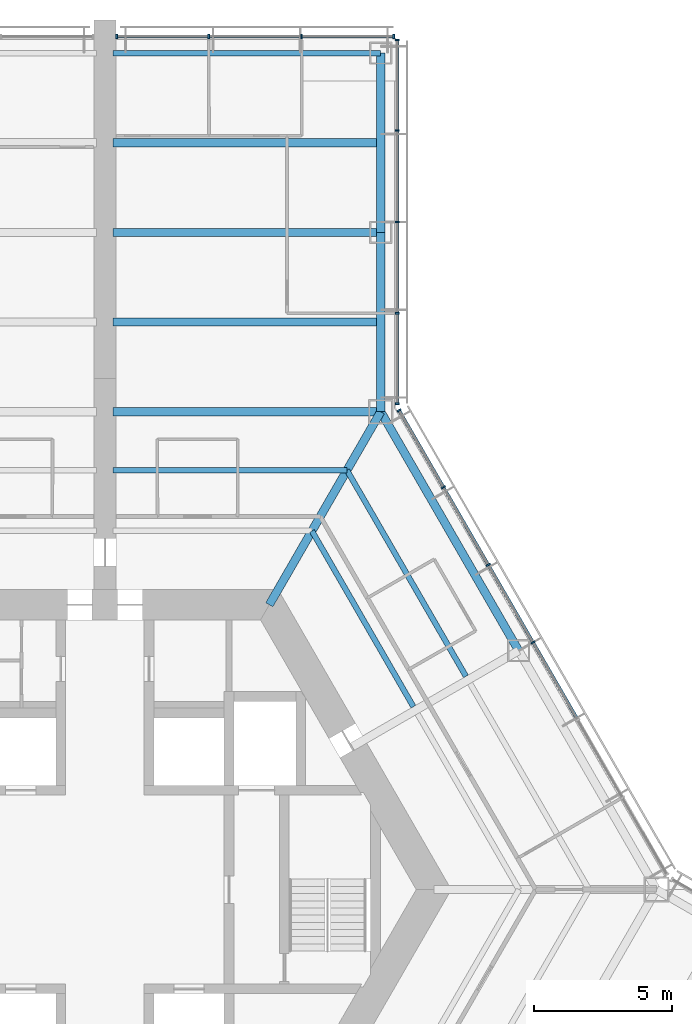
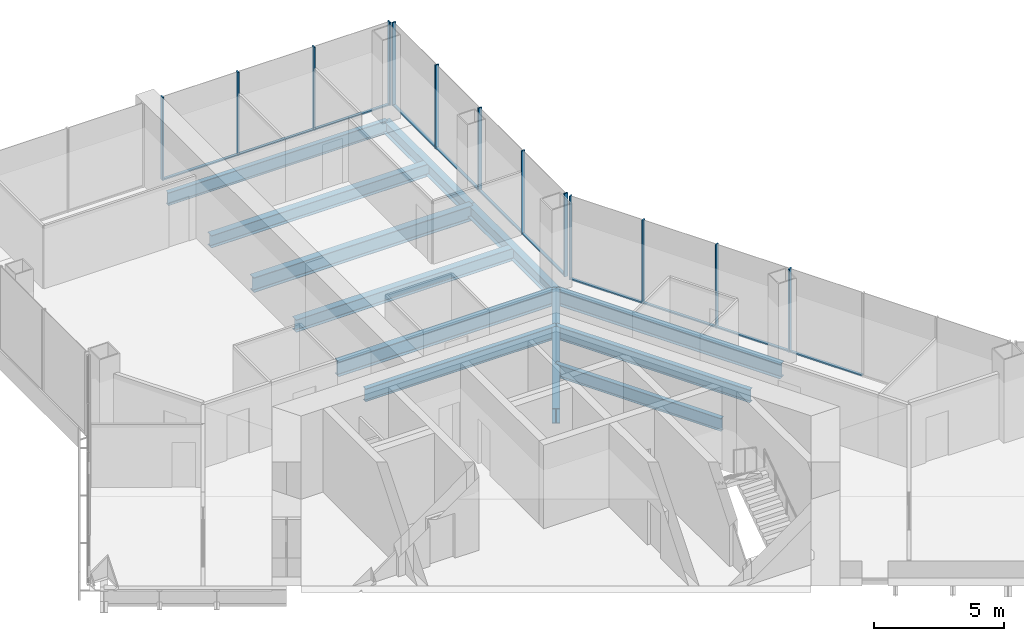
# One storey, part 8 of 18: 24 members, 12 beams, 3 elements without a shape of their own.
"""IFC4 building model written with IfcOpenShell, lengths in metres."""

from ifc_helpers import new_model, si_unit, direction, frame, origin, origin_2d, place, context, subcontext, project, spatial, rectangle, i_section, extrude, material, material_profile, profile_set, type_object, element, aggregate, save


model = new_model("IFC4")

# Units and contexts
model_context = context("Model", 3, precision=1e-05, world=origin(), true_north=direction((0.0, 1.0)))
body_context = subcontext(model_context, "Body", "Model", "MODEL_VIEW")
ifc_project = project(units=[si_unit("LENGTHUNIT", "METRE"), si_unit("AREAUNIT", "SQUARE_METRE"), si_unit("VOLUMEUNIT", "CUBIC_METRE"), si_unit("PLANEANGLEUNIT", "RADIAN"), si_unit("MASSUNIT", "GRAM", prefix="KILO")], contexts=[model_context])

# Site, building, storey
site_placement = place(None, origin())
site = spatial("IfcSite", under=ifc_project, at=site_placement, CompositionType="ELEMENT")
building_placement = place(site_placement, origin())
building = spatial("IfcBuilding", under=site, at=building_placement, Name="Kasaneha Research Tower", CompositionType="ELEMENT")
storey_placement = place(building_placement, frame((0.0, 0.0, 76.800048828125)))
storey = spatial("IfcBuildingStorey", under=building, at=storey_placement, Name="L19", CompositionType="ELEMENT", Elevation=76.800048828125)

# Beams
ifc_material_1 = material(Name="Steel SN490B", Category="steel")
ifc_material_profile_1 = material_profile(ifc_material_1, i_section(OverallWidth=0.199951171875, OverallDepth=0.60009765625, WebThickness=0.010986328125, FlangeThickness=0.01708984375, FilletRadius=0.012939453125, at=origin_2d()), Name="H-600x200x11x17")
ifc_profile_set_1 = profile_set([ifc_material_profile_1], Name="Steel SN490B")
beam_type_1 = type_object("IfcBeamType", Name="B1-3 secondary beam H-600x200x11x17", PredefinedType="JOIST", material=ifc_profile_set_1)
beam_1_placement = place(storey_placement, frame((7.505615234375, 13.0, -0.449951171875), z_axis=(0.499994443168, -0.866028611999, 0.0), x_axis=(0.866028611999, 0.499994443168, 0.0)))
element("IfcBeam", 1, at=beam_1_placement, inside=storey, type_object=beam_type_1, Name="Secondary beam RS030R1 L19", PredefinedType="JOIST", context=body_context, shape_type="SweptSolid", body=[
    extrude(i_section(OverallWidth=0.199951171875, OverallDepth=0.60009765625, WebThickness=0.010986328125, FlangeThickness=0.01708984375, FilletRadius=0.012939453125, at=origin_2d()), origin(), (0.0, 0.0, 1.0), 7.35546875),
])
beam_2_placement = place(storey_placement, frame((8.775634765625, 15.199951171875, -0.449951171875), z_axis=(0.500017275495, -0.866015429543, 0.0), x_axis=(0.866015429543, 0.500017275495, 0.0)))
element("IfcBeam", 2, at=beam_2_placement, inside=storey, type_object=beam_type_1, Name="Secondary beam RS030R2 L19", PredefinedType="JOIST", context=body_context, shape_type="SweptSolid", body=[
    extrude(i_section(OverallWidth=0.199951171875, OverallDepth=0.60009765625, WebThickness=0.010986328125, FlangeThickness=0.01708984375, FilletRadius=0.012939453125, at=origin_2d()), origin(), (0.0, 0.0, 1.0), 8.625732421875),
])
beam_3_placement = place(storey_placement, frame((8.775634765625, 15.199951171875, -0.449951171875), z_axis=(-1.0, 0.0, 0.0), x_axis=(0.0, -1.0, 0.0)))
element("IfcBeam", 3, at=beam_3_placement, inside=storey, type_object=beam_type_1, Name="Secondary beam RS090L2 L19", PredefinedType="JOIST", context=body_context, shape_type="SweptSolid", body=[
    extrude(i_section(OverallWidth=0.199951171875, OverallDepth=0.60009765625, WebThickness=0.010986328125, FlangeThickness=0.01708984375, FilletRadius=0.012939453125, at=origin_2d()), origin(), (0.0, 0.0, 1.0), 8.4755859375),
])
ifc_material_2 = material(Name="Steel SN490B", Category="steel")
ifc_material_profile_2 = material_profile(ifc_material_2, i_section(OverallWidth=0.300048828125, OverallDepth=0.58203125, WebThickness=0.011962890625, FlangeThickness=0.01708984375, FilletRadius=0.012939453125, at=origin_2d()), Name="H-582x300x12x17")
ifc_profile_set_2 = profile_set([ifc_material_profile_2], Name="Steel SN490B")
beam_type_2 = type_object("IfcBeamType", Name="B2-3 secondary beam H-582x300x12x17", PredefinedType="JOIST", material=ifc_profile_set_2)
for number, where, z_axis, x_axis, name in (
    (4, (10.0, 20.570556640625, -0.441162109375), (-1.0, 0.0, 0.0), (0.0, -1.0, 0.0), "Secondary beam WBAP1 L19"),
    (5, (10.0, 27.070556640625, -0.441162109375), (-1.0, 0.0, 0.0), (0.0, -1.0, 0.0), "Secondary beam WBAP2 L19"),
):
    element("IfcBeam", number, at=place(storey_placement, frame(where, z_axis=z_axis, x_axis=x_axis)), inside=storey, type_object=beam_type_2, Name=name, PredefinedType="JOIST", context=body_context, shape_type="SweptSolid", body=[
        extrude(i_section(OverallWidth=0.300048828125, OverallDepth=0.58203125, WebThickness=0.011962890625, FlangeThickness=0.01708984375, FilletRadius=0.012939453125, at=origin_2d()), origin(), (0.0, 0.0, 1.0), 9.699951171875),
    ])

# Curtain wall, members
ifc_material_3 = material(Name="Glass and aluminium", Category="aluminium")
curtain_wall_type = type_object("IfcCurtainWallType", Name="Low-rise office curtain wall", PredefinedType="USERDEFINED", material=ifc_material_3)
curtain_wall_1_placement = place(storey_placement, origin())
curtain_wall_1 = element("IfcCurtainWall", 6, at=curtain_wall_1_placement, inside=storey, type_object=curtain_wall_type, Name="CW-O1 L19 run 07a", ObjectType="UNITISED CURTAIN WALL", PredefinedType="USERDEFINED")
ifc_material_4 = material(Name="Aluminium 6063-T6", Category="aluminium")
ifc_material_profile_3 = material_profile(ifc_material_4, rectangle(XDim=0.06005859375, YDim=0.159912109375, at=origin_2d()), Name="CW-O1 mullion 60x160")
ifc_profile_set_3 = profile_set([ifc_material_profile_3], Name="Aluminium 6063-T6")
member_type_1 = type_object("IfcMemberType", Name="CW-O1 mullion", PredefinedType="MULLION", material=ifc_profile_set_3)
member_1_placement = place(storey_placement, frame((15.51953125, 8.960205078125, 0.0), z_axis=(0.0, 0.0, 1.0), x_axis=(-0.49999996188, 0.866025425793, 0.0)))
member_1 = element("IfcMember", 7, at=member_1_placement, type_object=member_type_1, Name="CW-O1 mullion 4", PredefinedType="MULLION", context=body_context, shape_type="SweptSolid", body=[
    extrude(rectangle(XDim=0.06005859375, YDim=0.159912109375, at=origin_2d()), origin(), (0.0, 0.0, 1.0), 3.89990234375),
])
member_2_placement = place(storey_placement, frame((13.896484375, 11.771728515625, 0.0), z_axis=(0.0, 0.0, 1.0), x_axis=(-0.49999996188, 0.866025425793, 0.0)))
member_2 = element("IfcMember", 8, at=member_2_placement, type_object=member_type_1, Name="CW-O1 mullion 5", PredefinedType="MULLION", context=body_context, shape_type="SweptSolid", body=[
    extrude(rectangle(XDim=0.06005859375, YDim=0.159912109375, at=origin_2d()), origin(), (0.0, 0.0, 1.0), 3.89990234375),
])
member_3_placement = place(storey_placement, frame((12.273193359375, 14.583251953125, 0.0), z_axis=(0.0, 0.0, 1.0), x_axis=(-0.49999996188, 0.866025425793, 0.0)))
member_3 = element("IfcMember", 9, at=member_3_placement, type_object=member_type_1, Name="CW-O1 mullion 6", PredefinedType="MULLION", context=body_context, shape_type="SweptSolid", body=[
    extrude(rectangle(XDim=0.06005859375, YDim=0.159912109375, at=origin_2d()), origin(), (0.0, 0.0, 1.0), 3.89990234375),
])
member_4_placement = place(storey_placement, frame((10.6650390625, 17.36865234375, 0.0), z_axis=(0.0, 0.0, 1.0), x_axis=(-0.49999996188, 0.866025425793, 0.0)))
member_4 = element("IfcMember", 10, at=member_4_placement, type_object=member_type_1, Name="CW-O1 mullion 7", PredefinedType="MULLION", context=body_context, shape_type="SweptSolid", body=[
    extrude(rectangle(XDim=0.06005859375, YDim=0.159912109375, at=origin_2d()), origin(), (0.0, 0.0, 1.0), 3.89990234375),
])

curtain_wall_2_placement = place(storey_placement, origin())
curtain_wall_2 = element("IfcCurtainWall", 11, at=curtain_wall_2_placement, inside=storey, type_object=curtain_wall_type, Name="CW-O1 L19 run 08a", ObjectType="UNITISED CURTAIN WALL", PredefinedType="USERDEFINED")
member_5_placement = place(storey_placement, frame((10.60009765625, 17.611328125, 0.0), z_axis=(0.0, 0.0, 1.0), x_axis=(0.0, 1.0, 0.0)))
member_5 = element("IfcMember", 12, at=member_5_placement, type_object=member_type_1, Name="CW-O1 mullion 1", PredefinedType="MULLION", context=body_context, shape_type="SweptSolid", body=[
    extrude(rectangle(XDim=0.06005859375, YDim=0.159912109375, at=origin_2d()), origin(), (0.0, 0.0, 1.0), 3.89990234375),
])
member_6_placement = place(storey_placement, frame((10.60009765625, 20.89111328125, 0.0), z_axis=(0.0, 0.0, 1.0), x_axis=(0.0, 1.0, 0.0)))
member_6 = element("IfcMember", 13, at=member_6_placement, type_object=member_type_1, Name="CW-O1 mullion 2", PredefinedType="MULLION", context=body_context, shape_type="SweptSolid", body=[
    extrude(rectangle(XDim=0.06005859375, YDim=0.159912109375, at=origin_2d()), origin(), (0.0, 0.0, 1.0), 3.89990234375),
])
member_7_placement = place(storey_placement, frame((10.60009765625, 24.200927734375, 0.0), z_axis=(0.0, 0.0, 1.0), x_axis=(0.0, 1.0, 0.0)))
member_7 = element("IfcMember", 14, at=member_7_placement, type_object=member_type_1, Name="CW-O1 mullion 3", PredefinedType="MULLION", context=body_context, shape_type="SweptSolid", body=[
    extrude(rectangle(XDim=0.06005859375, YDim=0.159912109375, at=origin_2d()), origin(), (0.0, 0.0, 1.0), 3.89990234375),
])
member_8_placement = place(storey_placement, frame((10.60009765625, 27.5107421875, 0.0), z_axis=(0.0, 0.0, 1.0), x_axis=(0.0, 1.0, 0.0)))
member_8 = element("IfcMember", 15, at=member_8_placement, type_object=member_type_1, Name="CW-O1 mullion 4", PredefinedType="MULLION", context=body_context, shape_type="SweptSolid", body=[
    extrude(rectangle(XDim=0.06005859375, YDim=0.159912109375, at=origin_2d()), origin(), (0.0, 0.0, 1.0), 3.89990234375),
])
member_9_placement = place(storey_placement, frame((10.60009765625, 30.79052734375, 0.0), z_axis=(0.0, 0.0, 1.0), x_axis=(0.0, 1.0, 0.0)))
member_9 = element("IfcMember", 16, at=member_9_placement, type_object=member_type_1, Name="CW-O1 mullion 5", PredefinedType="MULLION", context=body_context, shape_type="SweptSolid", body=[
    extrude(rectangle(XDim=0.06005859375, YDim=0.159912109375, at=origin_2d()), origin(), (0.0, 0.0, 1.0), 3.89990234375),
])

curtain_wall_3_placement = place(storey_placement, origin())
curtain_wall_3 = element("IfcCurtainWall", 17, at=curtain_wall_3_placement, inside=storey, type_object=curtain_wall_type, Name="CW-O1 L19 run 09a", ObjectType="UNITISED CURTAIN WALL", PredefinedType="USERDEFINED")
member_10_placement = place(storey_placement, frame((10.469970703125, 30.92041015625, 0.0), z_axis=(0.0, 0.0, 1.0), x_axis=(-1.0, 0.0, 0.0)))
member_10 = element("IfcMember", 18, at=member_10_placement, type_object=member_type_1, Name="CW-O1 mullion 1", PredefinedType="MULLION", context=body_context, shape_type="SweptSolid", body=[
    extrude(rectangle(XDim=0.06005859375, YDim=0.159912109375, at=origin_2d()), origin(), (0.0, 0.0, 1.0), 3.89990234375),
])
member_11_placement = place(storey_placement, frame((7.13330078125, 30.92041015625, 0.0), z_axis=(0.0, 0.0, 1.0), x_axis=(-1.0, 0.0, 0.0)))
member_11 = element("IfcMember", 19, at=member_11_placement, type_object=member_type_1, Name="CW-O1 mullion 2", PredefinedType="MULLION", context=body_context, shape_type="SweptSolid", body=[
    extrude(rectangle(XDim=0.06005859375, YDim=0.159912109375, at=origin_2d()), origin(), (0.0, 0.0, 1.0), 3.89990234375),
])
member_12_placement = place(storey_placement, frame((3.7666015625, 30.92041015625, 0.0), z_axis=(0.0, 0.0, 1.0), x_axis=(-1.0, 0.0, 0.0)))
member_12 = element("IfcMember", 20, at=member_12_placement, type_object=member_type_1, Name="CW-O1 mullion 3", PredefinedType="MULLION", context=body_context, shape_type="SweptSolid", body=[
    extrude(rectangle(XDim=0.06005859375, YDim=0.159912109375, at=origin_2d()), origin(), (0.0, 0.0, 1.0), 3.89990234375),
])
member_13_placement = place(storey_placement, frame((0.429931640625, 30.92041015625, 0.0), z_axis=(0.0, 0.0, 1.0), x_axis=(-1.0, 0.0, 0.0)))
member_13 = element("IfcMember", 21, at=member_13_placement, type_object=member_type_1, Name="CW-O1 mullion 4", PredefinedType="MULLION", context=body_context, shape_type="SweptSolid", body=[
    extrude(rectangle(XDim=0.06005859375, YDim=0.159912109375, at=origin_2d()), origin(), (0.0, 0.0, 1.0), 3.89990234375),
])

# Member
ifc_material_5 = material(Name="Aluminium 6063-T6", Category="aluminium")
ifc_material_profile_4 = material_profile(ifc_material_5, rectangle(XDim=0.1201171875, YDim=0.06005859375, at=origin_2d()), Name="CW-O1 transom 120x60")
ifc_profile_set_4 = profile_set([ifc_material_profile_4], Name="Aluminium 6063-T6")
member_type_2 = type_object("IfcMemberType", Name="CW-O1 transom", PredefinedType="USERDEFINED", material=ifc_profile_set_4)
member_14_placement = place(storey_placement, frame((17.1279296875, 6.1748046875, 0.030029296875), z_axis=(-0.500012062035, 0.866018439653, 0.0), x_axis=(-0.866018439653, -0.500012062035, 0.0)))
member_14 = element("IfcMember", 22, at=member_14_placement, type_object=member_type_2, Name="CW-O1 transom 3", ObjectType="TRANSOM", PredefinedType="USERDEFINED", context=body_context, shape_type="SweptSolid", body=[
    extrude(rectangle(XDim=0.1201171875, YDim=0.06005859375, at=origin_2d()), origin(), (0.0, 0.0, 1.0), 3.1865234375),
])

member_15_placement = place(storey_placement, frame((15.504638671875, 8.986328125, 0.030029296875), z_axis=(-0.500012062035, 0.866018439653, 0.0), x_axis=(-0.866018439653, -0.500012062035, 0.0)))
member_15 = element("IfcMember", 23, at=member_15_placement, type_object=member_type_2, Name="CW-O1 transom 4", ObjectType="TRANSOM", PredefinedType="USERDEFINED", context=body_context, shape_type="SweptSolid", body=[
    extrude(rectangle(XDim=0.1201171875, YDim=0.06005859375, at=origin_2d()), origin(), (0.0, 0.0, 1.0), 3.1865234375),
])

member_16_placement = place(storey_placement, frame((13.88134765625, 11.797607421875, 0.030029296875), z_axis=(-0.500012062035, 0.866018439653, 0.0), x_axis=(-0.866018439653, -0.500012062035, 0.0)))
member_16 = element("IfcMember", 24, at=member_16_placement, type_object=member_type_2, Name="CW-O1 transom 5", ObjectType="TRANSOM", PredefinedType="USERDEFINED", context=body_context, shape_type="SweptSolid", body=[
    extrude(rectangle(XDim=0.1201171875, YDim=0.06005859375, at=origin_2d()), origin(), (0.0, 0.0, 1.0), 3.1865234375),
])

member_17_placement = place(storey_placement, frame((12.25830078125, 14.609130859375, 0.030029296875), z_axis=(-0.500023726918, 0.866011704609, 0.0), x_axis=(-0.866011704609, -0.500023726918, 0.0)))
member_17 = element("IfcMember", 25, at=member_17_placement, type_object=member_type_2, Name="CW-O1 transom 6", ObjectType="TRANSOM", PredefinedType="USERDEFINED", context=body_context, shape_type="SweptSolid", body=[
    extrude(rectangle(XDim=0.1201171875, YDim=0.06005859375, at=origin_2d()), origin(), (0.0, 0.0, 1.0), 3.156494140625),
])

aggregate(curtain_wall_1, [member_1, member_2, member_3, member_4, member_14, member_15, member_16, member_17])

member_18_placement = place(storey_placement, frame((10.60009765625, 17.641357421875, 0.030029296875), z_axis=(0.0, 1.0, 0.0), x_axis=(-1.0, 0.0, 0.0)))
member_18 = element("IfcMember", 26, at=member_18_placement, type_object=member_type_2, Name="CW-O1 transom 1", ObjectType="TRANSOM", PredefinedType="USERDEFINED", context=body_context, shape_type="SweptSolid", body=[
    extrude(rectangle(XDim=0.1201171875, YDim=0.06005859375, at=origin_2d()), origin(), (0.0, 0.0, 1.0), 3.2197265625),
])

member_19_placement = place(storey_placement, frame((10.60009765625, 20.921142578125, 0.030029296875), z_axis=(0.0, 1.0, 0.0), x_axis=(-1.0, 0.0, 0.0)))
member_19 = element("IfcMember", 27, at=member_19_placement, type_object=member_type_2, Name="CW-O1 transom 2", ObjectType="TRANSOM", PredefinedType="USERDEFINED", context=body_context, shape_type="SweptSolid", body=[
    extrude(rectangle(XDim=0.1201171875, YDim=0.06005859375, at=origin_2d()), origin(), (0.0, 0.0, 1.0), 3.249755859375),
])

member_20_placement = place(storey_placement, frame((10.60009765625, 24.23095703125, 0.030029296875), z_axis=(0.0, 1.0, 0.0), x_axis=(-1.0, 0.0, 0.0)))
member_20 = element("IfcMember", 28, at=member_20_placement, type_object=member_type_2, Name="CW-O1 transom 3", ObjectType="TRANSOM", PredefinedType="USERDEFINED", context=body_context, shape_type="SweptSolid", body=[
    extrude(rectangle(XDim=0.1201171875, YDim=0.06005859375, at=origin_2d()), origin(), (0.0, 0.0, 1.0), 3.249755859375),
])

member_21_placement = place(storey_placement, frame((10.60009765625, 27.540771484375, 0.030029296875), z_axis=(0.0, 1.0, 0.0), x_axis=(-1.0, 0.0, 0.0)))
member_21 = element("IfcMember", 29, at=member_21_placement, type_object=member_type_2, Name="CW-O1 transom 4", ObjectType="TRANSOM", PredefinedType="USERDEFINED", context=body_context, shape_type="SweptSolid", body=[
    extrude(rectangle(XDim=0.1201171875, YDim=0.06005859375, at=origin_2d()), origin(), (0.0, 0.0, 1.0), 3.2197265625),
])

aggregate(curtain_wall_2, [member_5, member_6, member_7, member_8, member_9, member_18, member_19, member_20, member_21])

member_22_placement = place(storey_placement, frame((10.43994140625, 30.92041015625, 0.030029296875), z_axis=(-1.0, 0.0, 0.0), x_axis=(0.0, -1.0, 0.0)))
member_22 = element("IfcMember", 30, at=member_22_placement, type_object=member_type_2, Name="CW-O1 transom 1", ObjectType="TRANSOM", PredefinedType="USERDEFINED", context=body_context, shape_type="SweptSolid", body=[
    extrude(rectangle(XDim=0.1201171875, YDim=0.06005859375, at=origin_2d()), origin(), (0.0, 0.0, 1.0), 3.276611328125),
])

member_23_placement = place(storey_placement, frame((7.103271484375, 30.92041015625, 0.030029296875), z_axis=(-1.0, 0.0, 0.0), x_axis=(0.0, -1.0, 0.0)))
member_23 = element("IfcMember", 31, at=member_23_placement, type_object=member_type_2, Name="CW-O1 transom 2", ObjectType="TRANSOM", PredefinedType="USERDEFINED", context=body_context, shape_type="SweptSolid", body=[
    extrude(rectangle(XDim=0.1201171875, YDim=0.06005859375, at=origin_2d()), origin(), (0.0, 0.0, 1.0), 3.306640625),
])

member_24_placement = place(storey_placement, frame((3.736572265625, 30.92041015625, 0.030029296875), z_axis=(-1.0, 0.0, 0.0), x_axis=(0.0, -1.0, 0.0)))
member_24 = element("IfcMember", 32, at=member_24_placement, type_object=member_type_2, Name="CW-O1 transom 3", ObjectType="TRANSOM", PredefinedType="USERDEFINED", context=body_context, shape_type="SweptSolid", body=[
    extrude(rectangle(XDim=0.1201171875, YDim=0.06005859375, at=origin_2d()), origin(), (0.0, 0.0, 1.0), 3.276611328125),
])

aggregate(curtain_wall_3, [member_10, member_11, member_12, member_13, member_22, member_23, member_24])

# Beams
ifc_material_6 = material(Name="Steel SN490B", Category="steel")
ifc_material_profile_5 = material_profile(ifc_material_6, i_section(OverallWidth=0.300048828125, OverallDepth=0.699951171875, WebThickness=0.012939453125, FlangeThickness=0.02392578125, FilletRadius=0.01806640625, at=origin_2d()), Name="H-700x300x13x24")
ifc_profile_set_5 = profile_set([ifc_material_profile_5], Name="Steel SN490B")
beam_type_3 = type_object("IfcBeamType", Name="G1-3 radial girder H-700x300x13x24", PredefinedType="BEAM", material=ifc_profile_set_5)
beam_4_placement = place(storey_placement, frame((5.961181640625, 10.324951171875, -0.5), z_axis=(0.49999105496, 0.866030568144, 0.0), x_axis=(-0.866030568144, 0.49999105496, 0.0)))
element("IfcBeam", 33, at=beam_4_placement, inside=storey, type_object=beam_type_3, Name="Radial girder RV060 L19", PredefinedType="BEAM", context=body_context, shape_type="SweptSolid", body=[
    extrude(i_section(OverallWidth=0.300048828125, OverallDepth=0.699951171875, WebThickness=0.012939453125, FlangeThickness=0.02392578125, FilletRadius=0.01806640625, at=origin_2d()), origin(), (0.0, 0.0, 1.0), 8.077880859375),
])
ifc_material_7 = material(Name="Steel SN490B", Category="steel")
ifc_material_profile_6 = material_profile(ifc_material_7, i_section(OverallWidth=0.300048828125, OverallDepth=0.69189453125, WebThickness=0.012939453125, FlangeThickness=0.02001953125, FilletRadius=0.01806640625, at=origin_2d()), Name="H-692x300x13x20")
ifc_profile_set_6 = profile_set([ifc_material_profile_6], Name="Steel SN490B")
beam_type_4 = type_object("IfcBeamType", Name="G3-3 plate edge girder H-692x300x13x20", PredefinedType="BEAM", material=ifc_profile_set_6)
beam_5_placement = place(storey_placement, frame((10.0, 17.320556640625, -0.49609375), z_axis=(-1.0, 0.0, 0.0), x_axis=(0.0, -1.0, 0.0)))
element("IfcBeam", 34, at=beam_5_placement, inside=storey, type_object=beam_type_4, Name="Plate edge girder PEAP L19", PredefinedType="BEAM", context=body_context, shape_type="SweptSolid", body=[
    extrude(i_section(OverallWidth=0.300048828125, OverallDepth=0.69189453125, WebThickness=0.012939453125, FlangeThickness=0.02001953125, FilletRadius=0.01806640625, at=origin_2d()), origin(), (0.0, 0.0, 1.0), 9.699951171875),
])
ifc_material_8 = material(Name="Steel SN490B", Category="steel")
ifc_material_profile_7 = material_profile(ifc_material_8, i_section(OverallWidth=0.300048828125, OverallDepth=0.699951171875, WebThickness=0.012939453125, FlangeThickness=0.02392578125, FilletRadius=0.01806640625, at=origin_2d()), Name="H-700x300x13x24")
ifc_profile_set_7 = profile_set([ifc_material_profile_7], Name="Steel SN490B")
beam_type_5 = type_object("IfcBeamType", Name="G4-3 wing girder H-700x300x13x24", PredefinedType="BEAM", material=ifc_profile_set_7)
beam_6_placement = place(storey_placement, frame((10.0, 23.820556640625, -0.5), z_axis=(-1.0, 0.0, 0.0), x_axis=(0.0, -1.0, 0.0)))
element("IfcBeam", 35, at=beam_6_placement, inside=storey, type_object=beam_type_5, Name="Wing girder WGAP L19", PredefinedType="BEAM", context=body_context, shape_type="SweptSolid", body=[
    extrude(i_section(OverallWidth=0.300048828125, OverallDepth=0.699951171875, WebThickness=0.012939453125, FlangeThickness=0.02392578125, FilletRadius=0.01806640625, at=origin_2d()), origin(), (0.0, 0.0, 1.0), 9.699951171875),
])
ifc_material_9 = material(Name="Steel SN490B", Category="steel")
ifc_material_profile_8 = material_profile(ifc_material_9, i_section(OverallWidth=0.300048828125, OverallDepth=0.69189453125, WebThickness=0.012939453125, FlangeThickness=0.02001953125, FilletRadius=0.01806640625, at=origin_2d()), Name="H-692x300x13x20")
ifc_profile_set_8 = profile_set([ifc_material_profile_8], Name="Steel SN490B")
beam_type_6 = type_object("IfcBeamType", Name="SB1-3 spandrel beam H-692x300x13x20", PredefinedType="SPANDREL", material=ifc_profile_set_8)
beam_7_placement = place(storey_placement, frame((10.0, 17.320556640625, -0.49609375), z_axis=(0.499993662806, -0.866029062534, 0.0), x_axis=(0.866029062534, 0.499993662806, 0.0)))
element("IfcBeam", 36, at=beam_7_placement, inside=storey, type_object=beam_type_6, Name="Spandrel beam SR030R L19", PredefinedType="SPANDREL", context=body_context, shape_type="SweptSolid", body=[
    extrude(i_section(OverallWidth=0.300048828125, OverallDepth=0.69189453125, WebThickness=0.012939453125, FlangeThickness=0.02001953125, FilletRadius=0.01806640625, at=origin_2d()), origin(), (0.0, 0.0, 1.0), 10.000244140625),
])
ifc_material_10 = material(Name="Steel SN490B", Category="steel")
ifc_material_profile_9 = material_profile(ifc_material_10, i_section(OverallWidth=0.300048828125, OverallDepth=0.58203125, WebThickness=0.011962890625, FlangeThickness=0.01708984375, FilletRadius=0.012939453125, at=origin_2d()), Name="H-582x300x12x17")
ifc_profile_set_9 = profile_set([ifc_material_profile_9], Name="Steel SN490B")
beam_type_7 = type_object("IfcBeamType", Name="SB2-3 spandrel beam H-582x300x12x17", PredefinedType="SPANDREL", material=ifc_profile_set_9)
for number, where, z_axis, x_axis, name in (
    (37, (10.0, 17.320556640625, -0.441162109375), (0.0, 1.0, 0.0), (-1.0, 0.0, 0.0), "Spandrel beam WSAP1 L19"),
    (38, (10.0, 23.820556640625, -0.441162109375), (0.0, 1.0, 0.0), (-1.0, 0.0, 0.0), "Spandrel beam WSAP2 L19"),
):
    element("IfcBeam", number, at=place(storey_placement, frame(where, z_axis=z_axis, x_axis=x_axis)), inside=storey, type_object=beam_type_7, Name=name, PredefinedType="SPANDREL", context=body_context, shape_type="SweptSolid", body=[
        extrude(i_section(OverallWidth=0.300048828125, OverallDepth=0.58203125, WebThickness=0.011962890625, FlangeThickness=0.01708984375, FilletRadius=0.012939453125, at=origin_2d()), origin(), (0.0, 0.0, 1.0), 6.5),
    ])
ifc_material_11 = material(Name="Steel SN490B", Category="steel")
ifc_material_profile_10 = material_profile(ifc_material_11, i_section(OverallWidth=0.199951171875, OverallDepth=0.60009765625, WebThickness=0.010986328125, FlangeThickness=0.01708984375, FilletRadius=0.012939453125, at=origin_2d()), Name="H-600x200x11x17")
ifc_profile_set_10 = profile_set([ifc_material_profile_10], Name="Steel SN490B")
beam_type_8 = type_object("IfcBeamType", Name="SB3-3 spandrel beam H-600x200x11x17", PredefinedType="SPANDREL", material=ifc_profile_set_10)
beam_8_placement = place(storey_placement, frame((10.0, 30.320556640625, -0.449951171875), z_axis=(-1.0, 0.0, 0.0), x_axis=(0.0, -1.0, 0.0)))
element("IfcBeam", 39, at=beam_8_placement, inside=storey, type_object=beam_type_8, Name="Spandrel beam WTAP L19", PredefinedType="SPANDREL", context=body_context, shape_type="SweptSolid", body=[
    extrude(i_section(OverallWidth=0.199951171875, OverallDepth=0.60009765625, WebThickness=0.010986328125, FlangeThickness=0.01708984375, FilletRadius=0.012939453125, at=origin_2d()), origin(), (0.0, 0.0, 1.0), 9.699951171875),
])

save(model, "model.ifc")
